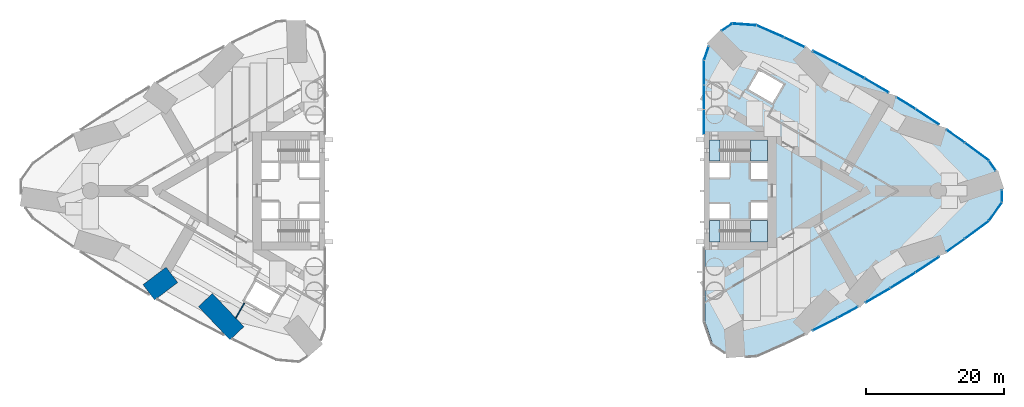
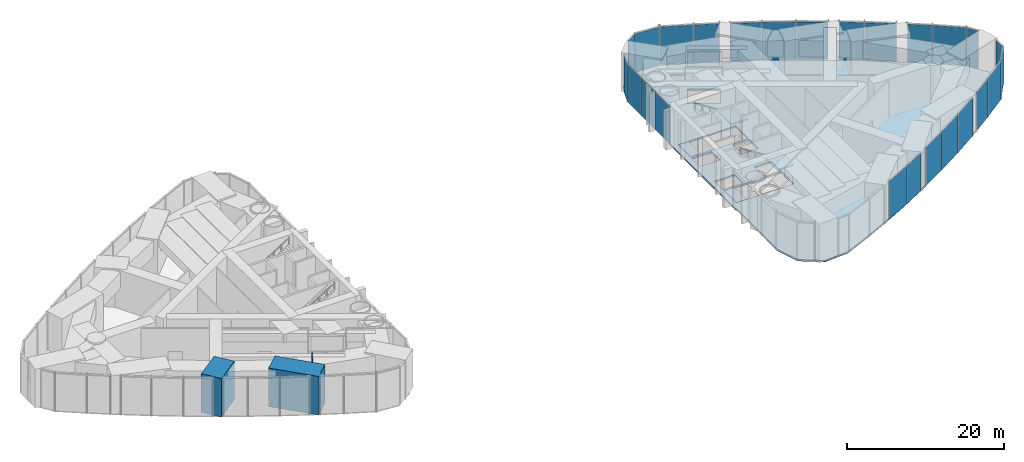
# One storey, part 10 of 16: 25 plates, 5 slabs, 3 walls, 10 elements without a shape of their own.
"""IFC4 building model written with IfcOpenShell, lengths in metres."""

from ifc_helpers import new_model, si_unit, direction, frame, frame_2d, origin, origin_2d, place, context, subcontext, project, spatial, polyline, rectangle, outline, extrude, material, layer, layer_set, type_object, element, aggregate, save


model = new_model("IFC4")

# Units and contexts
model_context = context("Model", 3, precision=1e-05, world=origin(), true_north=direction((0.0, 1.0)))
body_context = subcontext(model_context, "Body", "Model", "MODEL_VIEW")
ifc_project = project(units=[si_unit("LENGTHUNIT", "METRE"), si_unit("AREAUNIT", "SQUARE_METRE"), si_unit("VOLUMEUNIT", "CUBIC_METRE"), si_unit("PLANEANGLEUNIT", "RADIAN"), si_unit("MASSUNIT", "GRAM", prefix="KILO")], contexts=[model_context])

# Site, building, storey
site_placement = place(None, origin())
site = spatial("IfcSite", under=ifc_project, at=site_placement, CompositionType="ELEMENT")
building_placement = place(site_placement, origin())
building = spatial("IfcBuilding", under=site, at=building_placement, Name="Lancet Gate Hotel", CompositionType="ELEMENT")
storey_placement = place(building_placement, frame((0.0, 0.0, 146.699951171875)))
storey = spatial("IfcBuildingStorey", under=building, at=storey_placement, Name="L39", CompositionType="ELEMENT", Elevation=146.699951171875)

# Slab
ifc_material_1 = material(Name="Concrete C50/60", Category="concrete")
ifc_layer_1 = layer(ifc_material_1, 0.25)
ifc_layer_set_1 = layer_set([ifc_layer_1], Name="Floor slab 250")
slab_type_1 = type_object("IfcSlabType", Name="Floor slab 250", PredefinedType="FLOOR", material=ifc_layer_set_1)
slab_1_placement = place(storey_placement, frame((0.0, 0.0, -0.25)))
element("IfcSlab", 1, at=slab_1_placement, inside=storey, type_object=slab_type_1, Name="T2 L39 floor slab", PredefinedType="FLOOR", context=body_context, shape_type="SweptSolid", body=[
    extrude(outline(polyline([(27.5, -8.60009765625), (27.6201171875, -8.60009765625), (27.6201171875, -18.923095703125), (28.7451171875, -22.22412109375), (31.63427734375, -24.1396484375), (35.112060546875, -23.890869140625), (39.0712890625, -22.150634765625), (42.996826171875, -20.29052734375), (46.867919921875, -18.31982421875), (50.681640625, -16.23974609375), (54.4345703125, -14.052490234375), (58.123779296875, -11.75927734375), (61.74658203125, -9.362548828125), (65.2998046875, -6.863525390625), (68.7666015625, -4.275390625), (70.627197265625, -1.6142578125), (70.627197265625, 1.6142578125), (68.7666015625, 4.275390625), (65.2998046875, 6.863525390625), (61.74658203125, 9.362548828125), (58.123779296875, 11.75927734375), (54.4345703125, 14.052490234375), (50.681640625, 16.23974609375), (46.867919921875, 18.31982421875), (42.996826171875, 20.29052734375), (39.0712890625, 22.150634765625), (35.112060546875, 23.890869140625), (31.63427734375, 24.1396484375), (28.7451171875, 22.22412109375), (27.6201171875, 18.923095703125), (27.6201171875, 8.60009765625), (27.5, 8.60009765625), (27.5, 8.199951171875), (27.5, -8.199951171875), (27.5, -8.60009765625)]), holes=[polyline([(36.699951171875, -7.39990234375), (36.699951171875, -4.300048828125), (28.300048828125, -4.300048828125), (28.300048828125, -7.39990234375), (36.699951171875, -7.39990234375)]), polyline([(28.300048828125, -4.0), (31.199951171875, -4.0), (31.199951171875, -1.89990234375), (28.300048828125, -1.89990234375), (28.300048828125, -4.0)]), polyline([(34.25, -4.0), (36.699951171875, -4.0), (36.699951171875, -1.64990234375), (34.25, -1.64990234375), (34.25, -4.0)]), polyline([(36.699951171875, 1.64990234375), (36.699951171875, 4.0), (34.25, 4.0), (34.25, 1.64990234375), (36.699951171875, 1.64990234375)]), polyline([(28.300048828125, 1.89990234375), (31.199951171875, 1.89990234375), (31.199951171875, 4.0), (28.300048828125, 4.0), (28.300048828125, 1.89990234375)]), polyline([(28.300048828125, 4.300048828125), (36.699951171875, 4.300048828125), (36.699951171875, 7.39990234375), (28.300048828125, 7.39990234375), (28.300048828125, 4.300048828125)]), polyline([(37.43798828125, 12.680908203125), (39.0380859375, 15.451904296875), (35.488037109375, 17.501953125), (33.887939453125, 14.73095703125), (37.43798828125, 12.680908203125)])]), origin(), (0.0, 0.0, 1.0), 0.25),
])

# Curtain wall, plates
ifc_material_2 = material(Name="Aluminium curtain wall", Category="aluminium")
curtain_wall_type = type_object("IfcCurtainWallType", Name="Refuge storey louvred curtain wall", PredefinedType="USERDEFINED", material=ifc_material_2)
curtain_wall_1_placement = place(storey_placement, origin())
curtain_wall_1 = element("IfcCurtainWall", 2, at=curtain_wall_1_placement, inside=storey, type_object=curtain_wall_type, Name="T2 L39 curtain wall 3", ObjectType="LANTERN GLAZING", PredefinedType="USERDEFINED")
ifc_material_3 = material(Name="Aluminium weather louvre 100 deep", Category="aluminium")
ifc_layer_2 = layer(ifc_material_3, 0.10009765625)
ifc_layer_set_2 = layer_set([ifc_layer_2], Name="Louvre panel")
plate_type = type_object("IfcPlateType", Name="Louvre panel", PredefinedType="CURTAIN_PANEL", material=ifc_layer_set_2)
plate_1_placement = place(storey_placement, frame((45.109130859375, -19.349853515625, 0.0), z_axis=(0.0, 0.0, 1.0), x_axis=(0.891159350462, 0.453690436403, 0.0)))
plate_1 = element("IfcPlate", 3, at=plate_1_placement, type_object=plate_type, Name="T2 L39 curtain wall 3 panel 1", PredefinedType="CURTAIN_PANEL", context=body_context, shape_type="SweptSolid", body=[
    extrude(rectangle(XDim=4.007568359375, YDim=0.10009765625, at=origin_2d()), origin(), (0.0, 0.0, 1.0), 5.85009765625),
])
plate_2_placement = place(storey_placement, frame((48.378173828125, -17.6328125, 0.0), z_axis=(0.0, 0.0, 1.0), x_axis=(0.877916491224, 0.478813778454, 0.0)))
plate_2 = element("IfcPlate", 4, at=plate_2_placement, type_object=plate_type, Name="T2 L39 curtain wall 3 panel 2", PredefinedType="CURTAIN_PANEL", context=body_context, shape_type="SweptSolid", body=[
    extrude(rectangle(XDim=3.247802734375, YDim=0.10009765625, at=origin_2d()), origin(), (0.0, 0.0, 1.0), 5.85009765625),
])
aggregate(curtain_wall_1, [plate_1, plate_2])

curtain_wall_2_placement = place(storey_placement, origin())
curtain_wall_2 = element("IfcCurtainWall", 5, at=curtain_wall_2_placement, inside=storey, type_object=curtain_wall_type, Name="T2 L39 curtain wall 4", ObjectType="LANTERN GLAZING", PredefinedType="USERDEFINED")
plate_3_placement = place(storey_placement, frame((52.739013671875, -15.1796875, 0.0), z_axis=(0.0, 0.0, 1.0), x_axis=(0.863965543499, 0.503550930538, 0.0)))
plate_3 = element("IfcPlate", 6, at=plate_3_placement, type_object=plate_type, Name="T2 L39 curtain wall 4 panel 1", PredefinedType="CURTAIN_PANEL", context=body_context, shape_type="SweptSolid", body=[
    extrude(rectangle(XDim=4.00341796875, YDim=0.10009765625, at=origin_2d()), origin(), (0.0, 0.0, 1.0), 5.85009765625),
])
plate_4_placement = place(storey_placement, frame((56.342529296875, -13.0078125, 0.0), z_axis=(0.0, 0.0, 1.0), x_axis=(0.849317759497, 0.527881940781, 0.0)))
plate_4 = element("IfcPlate", 7, at=plate_4_placement, type_object=plate_type, Name="T2 L39 curtain wall 4 panel 2", PredefinedType="CURTAIN_PANEL", context=body_context, shape_type="SweptSolid", body=[
    extrude(rectangle(XDim=4.2822265625, YDim=0.10009765625, at=origin_2d()), origin(), (0.0, 0.0, 1.0), 5.85009765625),
])
plate_5_placement = place(storey_placement, frame((59.90283203125, -10.726318359375, 0.0), z_axis=(0.0, 0.0, 1.0), x_axis=(0.83398495346, 0.551787184885, 0.0)))
plate_5 = element("IfcPlate", 8, at=plate_5_placement, type_object=plate_type, Name="T2 L39 curtain wall 4 panel 3", PredefinedType="CURTAIN_PANEL", context=body_context, shape_type="SweptSolid", body=[
    extrude(rectangle(XDim=4.045654296875, YDim=0.10009765625, at=origin_2d()), origin(), (0.0, 0.0, 1.0), 5.85009765625),
])
aggregate(curtain_wall_2, [plate_3, plate_4, plate_5])

curtain_wall_3_placement = place(storey_placement, origin())
curtain_wall_3 = element("IfcCurtainWall", 9, at=curtain_wall_3_placement, inside=storey, type_object=curtain_wall_type, Name="T2 L39 curtain wall 5", ObjectType="LANTERN GLAZING", PredefinedType="USERDEFINED")
plate_6_placement = place(storey_placement, frame((64.0390625, -7.89697265625, 0.0), z_axis=(0.0, 0.0, 1.0), x_axis=(0.817979492167, 0.57524738191, 0.0)))
plate_6 = element("IfcPlate", 10, at=plate_6_placement, type_object=plate_type, Name="T2 L39 curtain wall 5 panel 1", PredefinedType="CURTAIN_PANEL", context=body_context, shape_type="SweptSolid", body=[
    extrude(rectangle(XDim=3.189697265625, YDim=0.10009765625, at=origin_2d()), origin(), (0.0, 0.0, 1.0), 5.85009765625),
])
plate_7_placement = place(storey_placement, frame((67.112060546875, -5.660400390625, 0.0), z_axis=(0.0, 0.0, 1.0), x_axis=(0.801314284905, 0.598243609917, 0.0)))
plate_7 = element("IfcPlate", 11, at=plate_7_placement, type_object=plate_type, Name="T2 L39 curtain wall 5 panel 2", PredefinedType="CURTAIN_PANEL", context=body_context, shape_type="SweptSolid", body=[
    extrude(rectangle(XDim=4.2822265625, YDim=0.10009765625, at=origin_2d()), origin(), (0.0, 0.0, 1.0), 5.85009765625),
])
plate_8_placement = place(storey_placement, frame((69.800537109375, -3.006103515625, 0.0), z_axis=(0.0, 0.0, 1.0), x_axis=(0.573025075425, 0.819537834962, 0.0)))
plate_8 = element("IfcPlate", 12, at=plate_8_placement, type_object=plate_type, Name="T2 L39 curtain wall 5 panel 3", PredefinedType="CURTAIN_PANEL", context=body_context, shape_type="SweptSolid", body=[
    extrude(rectangle(XDim=3.2392578125, YDim=0.10009765625, at=origin_2d()), origin(), (0.0, 0.0, 1.0), 5.85009765625),
])
plate_9_placement = place(storey_placement, frame((70.747314453125, -0.77490234375, 0.0), z_axis=(0.0, 0.0, 1.0), x_axis=(0.0, 1.0, 0.0)))
plate_9 = element("IfcPlate", 13, at=plate_9_placement, type_object=plate_type, Name="T2 L39 curtain wall 5 panel 4", PredefinedType="CURTAIN_PANEL", context=body_context, shape_type="SweptSolid", body=[
    extrude(rectangle(XDim=1.689697265625, YDim=0.10009765625, at=origin_2d()), origin(), (0.0, 0.0, 1.0), 5.85009765625),
])
aggregate(curtain_wall_3, [plate_6, plate_7, plate_8, plate_9])

curtain_wall_4_placement = place(storey_placement, origin())
curtain_wall_4 = element("IfcCurtainWall", 14, at=curtain_wall_4_placement, inside=storey, type_object=curtain_wall_type, Name="T2 L39 curtain wall 6", ObjectType="LANTERN GLAZING", PredefinedType="USERDEFINED")
plate_10_placement = place(storey_placement, frame((69.350341796875, 3.650146484375, 0.0), z_axis=(0.0, 0.0, 1.0), x_axis=(-0.573025075425, 0.819537834962, 0.0)))
plate_10 = element("IfcPlate", 15, at=plate_10_placement, type_object=plate_type, Name="T2 L39 curtain wall 6 panel 1", PredefinedType="CURTAIN_PANEL", context=body_context, shape_type="SweptSolid", body=[
    extrude(rectangle(XDim=1.66748046875, YDim=0.10009765625, at=origin_2d()), origin(), (0.0, 0.0, 1.0), 5.85009765625),
])
plate_11_placement = place(storey_placement, frame((67.112060546875, 5.660400390625, 0.0), z_axis=(0.0, 0.0, 1.0), x_axis=(-0.801314284905, 0.598243609917, 0.0)))
plate_11 = element("IfcPlate", 16, at=plate_11_placement, type_object=plate_type, Name="T2 L39 curtain wall 6 panel 2", PredefinedType="CURTAIN_PANEL", context=body_context, shape_type="SweptSolid", body=[
    extrude(rectangle(XDim=4.2822265625, YDim=0.10009765625, at=origin_2d()), origin(), (0.0, 0.0, 1.0), 5.85009765625),
])
plate_12_placement = place(storey_placement, frame((64.0390625, 7.89697265625, 0.0), z_axis=(0.0, 0.0, 1.0), x_axis=(-0.817979492167, 0.57524738191, 0.0)))
plate_12 = element("IfcPlate", 17, at=plate_12_placement, type_object=plate_type, Name="T2 L39 curtain wall 6 panel 3", PredefinedType="CURTAIN_PANEL", context=body_context, shape_type="SweptSolid", body=[
    extrude(rectangle(XDim=3.189697265625, YDim=0.10009765625, at=origin_2d()), origin(), (0.0, 0.0, 1.0), 5.85009765625),
])
aggregate(curtain_wall_4, [plate_10, plate_11, plate_12])

curtain_wall_5_placement = place(storey_placement, origin())
curtain_wall_5 = element("IfcCurtainWall", 18, at=curtain_wall_5_placement, inside=storey, type_object=curtain_wall_type, Name="T2 L39 curtain wall 7", ObjectType="LANTERN GLAZING", PredefinedType="USERDEFINED")
plate_13_placement = place(storey_placement, frame((59.90283203125, 10.726318359375, 0.0), z_axis=(0.0, 0.0, 1.0), x_axis=(-0.83398495346, 0.551787184885, 0.0)))
plate_13 = element("IfcPlate", 19, at=plate_13_placement, type_object=plate_type, Name="T2 L39 curtain wall 7 panel 1", PredefinedType="CURTAIN_PANEL", context=body_context, shape_type="SweptSolid", body=[
    extrude(rectangle(XDim=4.045654296875, YDim=0.10009765625, at=origin_2d()), origin(), (0.0, 0.0, 1.0), 5.85009765625),
])
plate_14_placement = place(storey_placement, frame((56.81298828125, 12.71533203125, 0.0), z_axis=(0.0, 0.0, 1.0), x_axis=(-0.849317759497, 0.527881940781, 0.0)))
plate_14 = element("IfcPlate", 20, at=plate_14_placement, type_object=plate_type, Name="T2 L39 curtain wall 7 panel 2", PredefinedType="CURTAIN_PANEL", context=body_context, shape_type="SweptSolid", body=[
    extrude(rectangle(XDim=3.17431640625, YDim=0.10009765625, at=origin_2d()), origin(), (0.0, 0.0, 1.0), 5.85009765625),
])
aggregate(curtain_wall_5, [plate_13, plate_14])

curtain_wall_6_placement = place(storey_placement, origin())
curtain_wall_6 = element("IfcCurtainWall", 21, at=curtain_wall_6_placement, inside=storey, type_object=curtain_wall_type, Name="T2 L39 curtain wall 8", ObjectType="LANTERN GLAZING", PredefinedType="USERDEFINED")
plate_15_placement = place(storey_placement, frame((52.52099609375, 15.306640625, 0.0), z_axis=(0.0, 0.0, 1.0), x_axis=(-0.863965543499, 0.503550930538, 0.0)))
plate_15 = element("IfcPlate", 22, at=plate_15_placement, type_object=plate_type, Name="T2 L39 curtain wall 8 panel 1", PredefinedType="CURTAIN_PANEL", context=body_context, shape_type="SweptSolid", body=[
    extrude(rectangle(XDim=4.056884765625, YDim=0.10009765625, at=origin_2d()), origin(), (0.0, 0.0, 1.0), 5.85009765625),
])
plate_16_placement = place(storey_placement, frame((48.832275390625, 17.38525390625, 0.0), z_axis=(0.0, 0.0, 1.0), x_axis=(-0.877916491224, 0.478813778454, 0.0)))
plate_16 = element("IfcPlate", 23, at=plate_16_placement, type_object=plate_type, Name="T2 L39 curtain wall 8 panel 2", PredefinedType="CURTAIN_PANEL", context=body_context, shape_type="SweptSolid", body=[
    extrude(rectangle(XDim=4.2822265625, YDim=0.10009765625, at=origin_2d()), origin(), (0.0, 0.0, 1.0), 5.85009765625),
])
plate_17_placement = place(storey_placement, frame((45.109130859375, 19.349853515625, 0.0), z_axis=(0.0, 0.0, 1.0), x_axis=(-0.891159350462, 0.453690436403, 0.0)))
plate_17 = element("IfcPlate", 24, at=plate_17_placement, type_object=plate_type, Name="T2 L39 curtain wall 8 panel 3", PredefinedType="CURTAIN_PANEL", context=body_context, shape_type="SweptSolid", body=[
    extrude(rectangle(XDim=4.007568359375, YDim=0.10009765625, at=origin_2d()), origin(), (0.0, 0.0, 1.0), 5.85009765625),
])
aggregate(curtain_wall_6, [plate_15, plate_16, plate_17])

curtain_wall_7_placement = place(storey_placement, origin())
curtain_wall_7 = element("IfcCurtainWall", 25, at=curtain_wall_7_placement, inside=storey, type_object=curtain_wall_type, Name="T2 L39 curtain wall 9", ObjectType="LANTERN GLAZING", PredefinedType="USERDEFINED")
plate_18_placement = place(storey_placement, frame((40.615478515625, 21.5517578125, 0.0), z_axis=(0.0, 0.0, 1.0), x_axis=(-0.903683440096, 0.428201167789, 0.0)))
plate_18 = element("IfcPlate", 26, at=plate_18_placement, type_object=plate_type, Name="T2 L39 curtain wall 9 panel 1", PredefinedType="CURTAIN_PANEL", context=body_context, shape_type="SweptSolid", body=[
    extrude(rectangle(XDim=3.2421875, YDim=0.10009765625, at=origin_2d()), origin(), (0.0, 0.0, 1.0), 5.85009765625),
])
plate_19_placement = place(storey_placement, frame((37.13134765625, 23.13427734375, 0.0), z_axis=(0.0, 0.0, 1.0), x_axis=(-0.915478658759, 0.40236653111, 0.0)))
plate_19 = element("IfcPlate", 27, at=plate_19_placement, type_object=plate_type, Name="T2 L39 curtain wall 9 panel 2", PredefinedType="CURTAIN_PANEL", context=body_context, shape_type="SweptSolid", body=[
    extrude(rectangle(XDim=4.2822265625, YDim=0.10009765625, at=origin_2d()), origin(), (0.0, 0.0, 1.0), 5.85009765625),
])
plate_20_placement = place(storey_placement, frame((33.37158203125, 24.1357421875, 0.0), z_axis=(0.0, 0.0, 1.0), x_axis=(-0.997448492935, 0.07138980278, 0.0)))
plate_20 = element("IfcPlate", 28, at=plate_20_placement, type_object=plate_type, Name="T2 L39 curtain wall 9 panel 3", PredefinedType="CURTAIN_PANEL", context=body_context, shape_type="SweptSolid", body=[
    extrude(rectangle(XDim=3.4833984375, YDim=0.10009765625, at=origin_2d()), origin(), (0.0, 0.0, 1.0), 5.85009765625),
])
plate_21_placement = place(storey_placement, frame((30.837158203125, 23.755126953125, 0.0), z_axis=(0.0, 0.0, 1.0), x_axis=(-0.833464516611, -0.552572981198, 0.0)))
plate_21 = element("IfcPlate", 29, at=plate_21_placement, type_object=plate_type, Name="T2 L39 curtain wall 9 panel 4", PredefinedType="CURTAIN_PANEL", context=body_context, shape_type="SweptSolid", body=[
    extrude(rectangle(XDim=1.7705078125, YDim=0.10009765625, at=origin_2d()), origin(), (0.0, 0.0, 1.0), 5.85009765625),
])
aggregate(curtain_wall_7, [plate_18, plate_19, plate_20, plate_21])

curtain_wall_8_placement = place(storey_placement, origin())
curtain_wall_8 = element("IfcCurtainWall", 30, at=curtain_wall_8_placement, inside=storey, type_object=curtain_wall_type, Name="T2 L39 curtain wall 10", ObjectType="LANTERN GLAZING", PredefinedType="USERDEFINED")
plate_22_placement = place(storey_placement, frame((27.838134765625, 19.93505859375, 0.0), z_axis=(0.0, 0.0, 1.0), x_axis=(-0.32257568891, -0.946543673015, 0.0)))
plate_22 = element("IfcPlate", 31, at=plate_22_placement, type_object=plate_type, Name="T2 L39 curtain wall 10 panel 1", PredefinedType="CURTAIN_PANEL", context=body_context, shape_type="SweptSolid", body=[
    extrude(rectangle(XDim=2.031005859375, YDim=0.10009765625, at=origin_2d()), origin(), (0.0, 0.0, 1.0), 5.85009765625),
])
plate_23_placement = place(storey_placement, frame((27.5, 17.15234375, 0.0), z_axis=(0.0, 0.0, 1.0), x_axis=(0.0, -1.0, 0.0)))
plate_23 = element("IfcPlate", 32, at=plate_23_placement, type_object=plate_type, Name="T2 L39 curtain wall 10 panel 2", PredefinedType="CURTAIN_PANEL", context=body_context, shape_type="SweptSolid", body=[
    extrude(rectangle(XDim=3.515869140625, YDim=0.10009765625, at=origin_2d()), origin(), (0.0, 0.0, 1.0), 5.85009765625),
])
plate_24_placement = place(storey_placement, frame((27.5, 13.571533203125, 0.0), z_axis=(0.0, 0.0, 1.0), x_axis=(0.0, -1.0, 0.0)))
plate_24 = element("IfcPlate", 33, at=plate_24_placement, type_object=plate_type, Name="T2 L39 curtain wall 10 panel 3", PredefinedType="CURTAIN_PANEL", context=body_context, shape_type="SweptSolid", body=[
    extrude(rectangle(XDim=3.515869140625, YDim=0.10009765625, at=origin_2d()), origin(), (0.0, 0.0, 1.0), 5.85009765625),
])
plate_25_placement = place(storey_placement, frame((27.5, 9.990478515625, 0.0), z_axis=(0.0, 0.0, 1.0), x_axis=(0.0, -1.0, 0.0)))
plate_25 = element("IfcPlate", 34, at=plate_25_placement, type_object=plate_type, Name="T2 L39 curtain wall 10 panel 4", PredefinedType="CURTAIN_PANEL", context=body_context, shape_type="SweptSolid", body=[
    extrude(rectangle(XDim=3.515869140625, YDim=0.10009765625, at=origin_2d()), origin(), (0.0, 0.0, 1.0), 5.85009765625),
])
aggregate(curtain_wall_8, [plate_22, plate_23, plate_24, plate_25])

# Stair, slabs
ifc_material_4 = material(Name="Exit stair 34 risers 1500")
stair_type = type_object("IfcStairType", Name="Exit stair 34 risers 1500", PredefinedType="HALF_TURN_STAIR", material=ifc_material_4)
stair_1_placement = place(storey_placement, origin())
stair_1 = element("IfcStair", 35, at=stair_1_placement, inside=storey, type_object=stair_type, Name="T2 stair 1 L39", PredefinedType="HALF_TURN_STAIR")
ifc_material_5 = material(Name="Concrete C40/50", Category="concrete")
ifc_layer_3 = layer(ifc_material_5, 0.199951171875)
ifc_layer_set_3 = layer_set([ifc_layer_3], Name="Stair landing 200")
slab_type_2 = type_object("IfcSlabType", Name="Stair landing 200", PredefinedType="LANDING", material=ifc_layer_set_3)
slab_2_placement = place(storey_placement, frame((0.0, 0.0, -0.199951171875)))
slab_2 = element("IfcSlab", 36, at=slab_2_placement, type_object=slab_type_2, Name="ST3 landing 1", PredefinedType="LANDING", context=body_context, shape_type="SweptSolid", body=[
    extrude(outline(polyline([(28.300048828125, -7.39990234375), (29.800048828125, -7.39990234375), (29.800048828125, -4.300048828125), (28.300048828125, -4.300048828125), (28.300048828125, -7.39990234375)])), origin(), (0.0, 0.0, 1.0), 0.199951171875),
])
slab_3_placement = place(storey_placement, frame((0.0, 0.0, 2.800048828125)))
slab_3 = element("IfcSlab", 37, at=slab_3_placement, type_object=slab_type_2, Name="ST3 landing 2", PredefinedType="LANDING", context=body_context, shape_type="SweptSolid", body=[
    extrude(outline(polyline([(34.280029296875, -7.39990234375), (36.699951171875, -7.39990234375), (36.699951171875, -4.300048828125), (34.280029296875, -4.300048828125), (34.280029296875, -7.39990234375)])), origin(), (0.0, 0.0, 1.0), 0.199951171875),
])
aggregate(stair_1, [slab_2, slab_3])

stair_2_placement = place(storey_placement, origin())
stair_2 = element("IfcStair", 38, at=stair_2_placement, inside=storey, type_object=stair_type, Name="T2 stair 2 L39", PredefinedType="HALF_TURN_STAIR")
slab_4_placement = place(storey_placement, frame((0.0, 0.0, -0.199951171875)))
slab_4 = element("IfcSlab", 39, at=slab_4_placement, type_object=slab_type_2, Name="ST4 landing 1", PredefinedType="LANDING", context=body_context, shape_type="SweptSolid", body=[
    extrude(outline(polyline([(28.300048828125, 4.300048828125), (29.800048828125, 4.300048828125), (29.800048828125, 7.39990234375), (28.300048828125, 7.39990234375), (28.300048828125, 4.300048828125)])), origin(), (0.0, 0.0, 1.0), 0.199951171875),
])
slab_5_placement = place(storey_placement, frame((0.0, 0.0, 2.800048828125)))
slab_5 = element("IfcSlab", 40, at=slab_5_placement, type_object=slab_type_2, Name="ST4 landing 2", PredefinedType="LANDING", context=body_context, shape_type="SweptSolid", body=[
    extrude(outline(polyline([(34.280029296875, 4.300048828125), (36.699951171875, 4.300048828125), (36.699951171875, 7.39990234375), (34.280029296875, 7.39990234375), (34.280029296875, 4.300048828125)])), origin(), (0.0, 0.0, 1.0), 0.199951171875),
])
aggregate(stair_2, [slab_4, slab_5])

# Walls
ifc_material_6 = material(Name="Gypsum board partition")
ifc_layer_4 = layer(ifc_material_6, 0.14990234375)
ifc_layer_set_4 = layer_set([ifc_layer_4], Name="Party wall 150")
wall_type_1 = type_object("IfcWallType", Name="Party wall 150", PredefinedType="PARTITIONING", material=ifc_layer_set_4)
wall_1_placement = place(storey_placement, frame((-39.2021484375, -16.319580078125, 0.0), z_axis=(0.0, 0.0, 1.0), x_axis=(-0.500046524342, -0.865998541277, 0.0)))
element("IfcWall", 41, at=wall_1_placement, inside=storey, type_object=wall_type_1, Name="T1 party wall 150 L39", PredefinedType="PARTITIONING", context=body_context, shape_type="SweptSolid", body=[
    extrude(rectangle(XDim=2.499755859375, YDim=0.14990234375, at=frame_2d((1.25, 0.0))), origin(), (0.0, 0.0, 1.0), 5.75),
])
ifc_material_7 = material(Name="Concrete C80/95", Category="concrete")
ifc_layer_5 = layer(ifc_material_7, 2.800048828125)
ifc_layer_set_5 = layer_set([ifc_layer_5], Name="Radial transfer wall 2800")
wall_type_2 = type_object("IfcWallType", Name="Radial transfer wall 2800", PredefinedType="SHEAR", material=ifc_layer_set_5)
wall_2_placement = place(storey_placement, frame((-53.0791015625, -14.740478515625, 0.0), z_axis=(0.0, 0.0, 1.0), x_axis=(0.797075233676, 0.603880014457, 0.0)))
element("IfcWall", 42, at=wall_2_placement, inside=storey, type_object=wall_type_2, Name="T1 radial transfer wall ON2 L39", PredefinedType="SHEAR", context=body_context, shape_type="SweptSolid", body=[
    extrude(rectangle(XDim=4.210693359375, YDim=2.800048828125, at=frame_2d((2.10546875, 0.0))), origin(), (0.0, 0.0, 1.0), 6.0),
])
wall_3_placement = place(storey_placement, frame((-40.280517578125, -20.6806640625, 0.0), z_axis=(0.0, 0.0, 1.0), x_axis=(-0.688883466121, 0.724872106033, 0.0)))
element("IfcWall", 43, at=wall_3_placement, inside=storey, type_object=wall_type_2, Name="T1 radial transfer wall ON3 L39", PredefinedType="SHEAR", context=body_context, shape_type="SweptSolid", body=[
    extrude(rectangle(XDim=6.655029296875, YDim=2.800048828125, at=frame_2d((3.32763671875, 0.0))), origin(), (0.0, 0.0, 1.0), 6.0),
])

save(model, "model.ifc")
